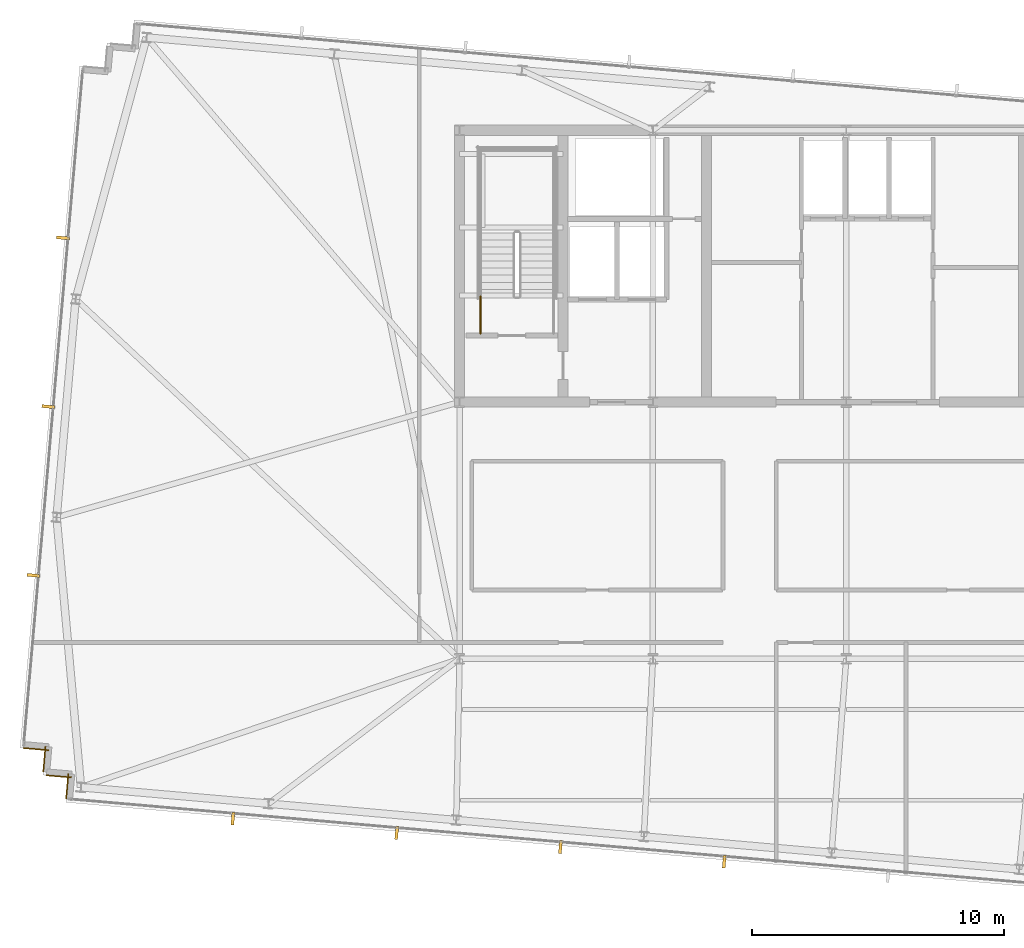
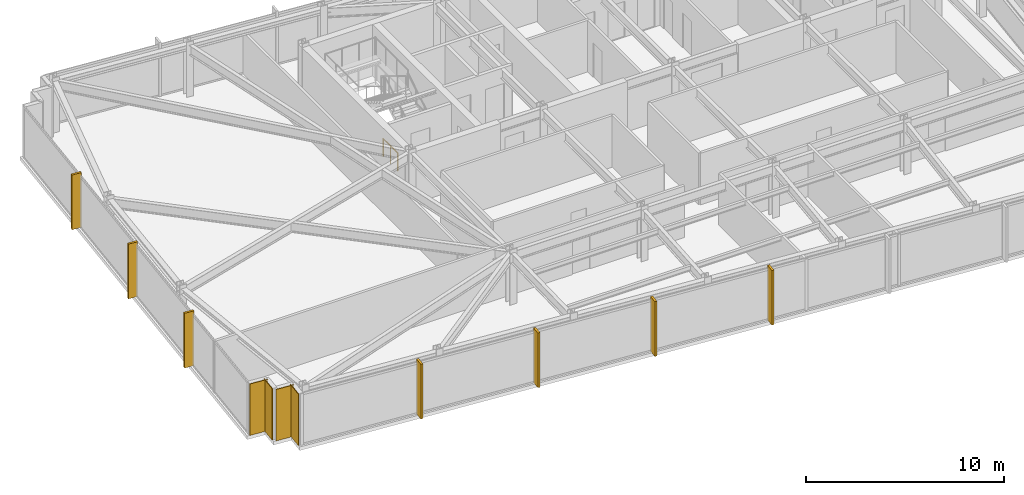
# One storey, part 29 of 32: 7 shading devices, 4 coverings, 1 railing.
"""IFC4 building model written with IfcOpenShell, lengths in metres."""

from ifc_helpers import new_model, si_unit, direction, frame, frame_2d, origin, origin_2d, place, context, subcontext, project, spatial, rectangle, circle, extrude, material, layer, layer_set, type_object, element, save


model = new_model("IFC4")

# Units and contexts
model_context = context("Model", 3, precision=1e-05, world=origin(), true_north=direction((0.0, 1.0)))
body_context = subcontext(model_context, "Body", "Model", "MODEL_VIEW")
ifc_project = project(units=[si_unit("LENGTHUNIT", "METRE"), si_unit("AREAUNIT", "SQUARE_METRE"), si_unit("VOLUMEUNIT", "CUBIC_METRE"), si_unit("PLANEANGLEUNIT", "RADIAN"), si_unit("MASSUNIT", "GRAM", prefix="KILO")], contexts=[model_context])

# Site, building, storey
site_placement = place(None, origin())
site = spatial("IfcSite", under=ifc_project, at=site_placement, CompositionType="ELEMENT")
building_placement = place(site_placement, origin())
building = spatial("IfcBuilding", under=site, at=building_placement, Name="Yelkora Congress Tower", CompositionType="ELEMENT")
storey_placement = place(building_placement, frame((0.0, 0.0, 262.5)))
storey = spatial("IfcBuildingStorey", under=building, at=storey_placement, Name="L73", CompositionType="ELEMENT", Elevation=262.5)

# Coverings
ifc_material_1 = material(Name="Anatolian bush-hammered limestone", Category="masonry")
ifc_layer_1 = layer(ifc_material_1, 0.0400390625)
ifc_layer_set_1 = layer_set([ifc_layer_1], Name="Anatolian bush-hammered limestone")
covering_type = type_object("IfcCoveringType", Name="COV-CLAD-SPANDREL-40", PredefinedType="CLADDING", material=ifc_layer_set_1)
for number, where, z_axis, x_axis, name in (
    (1, (7.41064453125, 19.63720703125, 0.0), (0.0, 0.0, 1.0), (0.087166950281, 0.996193717496, 0.0), "L73 Anatolian Limestone Cladding EW-L73-SR01"),
    (2, (7.62060546875, 20.4873046875, 0.0), (0.0, 0.0, 1.0), (-0.996214890596, 0.086924632611, 0.0), "L73 Anatolian Limestone Cladding EW-L73-SR02"),
):
    element("IfcCovering", number, at=place(storey_placement, frame(where, z_axis=z_axis, x_axis=x_axis)), inside=storey, type_object=covering_type, Name=name, PredefinedType="CLADDING", context=body_context, shape_type="SweptSolid", body=[
        extrude(rectangle(XDim=1.0, YDim=0.0400390625, at=frame_2d((0.5, 0.0))), origin(), (0.0, 0.0, 1.0), 3.179931640625),
    ])
covering_1_placement = place(storey_placement, frame((6.501708984375, 20.720458984375, 0.0), z_axis=(0.0, 0.0, 1.0), x_axis=(0.087145753297, 0.996195572005, 0.0)))
element("IfcCovering", 3, at=covering_1_placement, inside=storey, type_object=covering_type, Name="L73 Anatolian Limestone Cladding EW-L73-SR03", PredefinedType="CLADDING", context=body_context, shape_type="SweptSolid", body=[
    extrude(rectangle(XDim=1.000244140625, YDim=0.0400390625, at=frame_2d((0.5, 0.0))), origin(), (0.0, 0.0, 1.0), 3.179931640625),
])
covering_2_placement = place(storey_placement, frame((6.71142578125, 21.570556640625, 0.0), z_axis=(0.0, 0.0, 1.0), x_axis=(-0.996193717496, 0.087166950281, 0.0)))
element("IfcCovering", 4, at=covering_2_placement, inside=storey, type_object=covering_type, Name="L73 Anatolian Limestone Cladding EW-L73-SR04", PredefinedType="CLADDING", context=body_context, shape_type="SweptSolid", body=[
    extrude(rectangle(XDim=1.0, YDim=0.0400390625, at=frame_2d((0.5, 0.0))), origin(), (0.0, 0.0, 1.0), 3.179931640625),
])

# Railing
ifc_material_2 = material(Name="Painted galvanised steel stair well guard with vertical infill", Category="steel")
ifc_layer_2 = layer(ifc_material_2, 0.06005859375)
ifc_layer_set_2 = layer_set([ifc_layer_2], Name="Painted galvanised steel stair well guard with vertical infill")
railing_type = type_object("IfcRailingType", Name="RAIL-STAIR-GUARD-1120", PredefinedType="GUARDRAIL", material=ifc_layer_set_2)
railing_placement = place(storey_placement, frame((23.8701171875, 38.1201171875, 0.0)))
element("IfcRailing", 5, at=railing_placement, inside=storey, type_object=railing_type, Name="ST-01 L73 Stair Well Guardrail 9", PredefinedType="GUARDRAIL", context=body_context, shape_type="SweptSolid", body=[
    extrude(circle(Radius=0.02392578125, at=origin_2d()), frame((0.0, 0.0, 1.09619140625), z_axis=(0.0, 1.0, 0.0), x_axis=(-1.0, 0.0, 0.0)), (0.0, 0.0, 1.0), 1.47998046875),
    extrude(circle(Radius=0.02099609375, at=origin_2d()), origin(), (0.0, 0.0, 1.0), 1.072021484375),
    extrude(circle(Radius=0.02099609375, at=origin_2d()), frame((0.0, 0.739990234375, 0.0)), (0.0, 0.0, 1.0), 1.072021484375),
    extrude(circle(Radius=0.02099609375, at=origin_2d()), frame((0.0, 1.47998046875, 0.0)), (0.0, 0.0, 1.0), 1.072021484375),
])

# Shading devices
ifc_material_3 = material(Name="Champagne anodised aluminium", Category="aluminium")
ifc_layer_3 = layer(ifc_material_3, 3.300048828125)
ifc_layer_set_3 = layer_set([ifc_layer_3], Name="Champagne anodised aluminium")
shading_device_type = type_object("IfcShadingDeviceType", Name="SHD-FIN-ALU-520", PredefinedType="USERDEFINED", material=ifc_layer_set_3)
for number, where, z_axis, x_axis, name in (
    (6, (6.114501953125, 28.513916015625, -0.030029296875), (0.0, 0.0, 1.0), (0.087155742748, 0.996194698092, 0.0), "L73 Vertical Anodised Solar Fin 5-1"),
    (7, (6.700927734375, 35.218505859375, -0.030029296875), (0.0, 0.0, 1.0), (0.087155742748, 0.996194698092, 0.0), "L73 Vertical Anodised Solar Fin 5-2"),
    (8, (7.28759765625, 41.9228515625, -0.030029296875), (0.0, 0.0, 1.0), (0.087155742748, 0.996194698092, 0.0), "L73 Vertical Anodised Solar Fin 5-3"),
    (9, (33.553955078125, 17.149169921875, -0.030029296875), (0.0, 0.0, 1.0), (-0.996194698092, 0.087155742748, 0.0), "L73 Vertical Anodised Solar Fin 20-3"),
    (10, (27.04736328125, 17.718505859375, -0.030029296875), (0.0, 0.0, 1.0), (-0.996194698092, 0.087155742748, 0.0), "L73 Vertical Anodised Solar Fin 20-4"),
    (11, (20.541015625, 18.28759765625, -0.030029296875), (0.0, 0.0, 1.0), (-0.996194698092, 0.087155742748, 0.0), "L73 Vertical Anodised Solar Fin 20-5"),
    (12, (14.0341796875, 18.85693359375, -0.030029296875), (0.0, 0.0, 1.0), (-0.996194698092, 0.087155742748, 0.0), "L73 Vertical Anodised Solar Fin 20-6"),
):
    element("IfcShadingDevice", number, at=place(storey_placement, frame(where, z_axis=z_axis, x_axis=x_axis)), inside=storey, type_object=shading_device_type, Name=name, ObjectType="FIN", PredefinedType="USERDEFINED", context=body_context, shape_type="SweptSolid", body=[
        extrude(rectangle(XDim=0.1201171875, YDim=0.52001953125, at=origin_2d()), origin(), (0.0, 0.0, 1.0), 3.3798828125),
    ])

save(model, "model.ifc")
